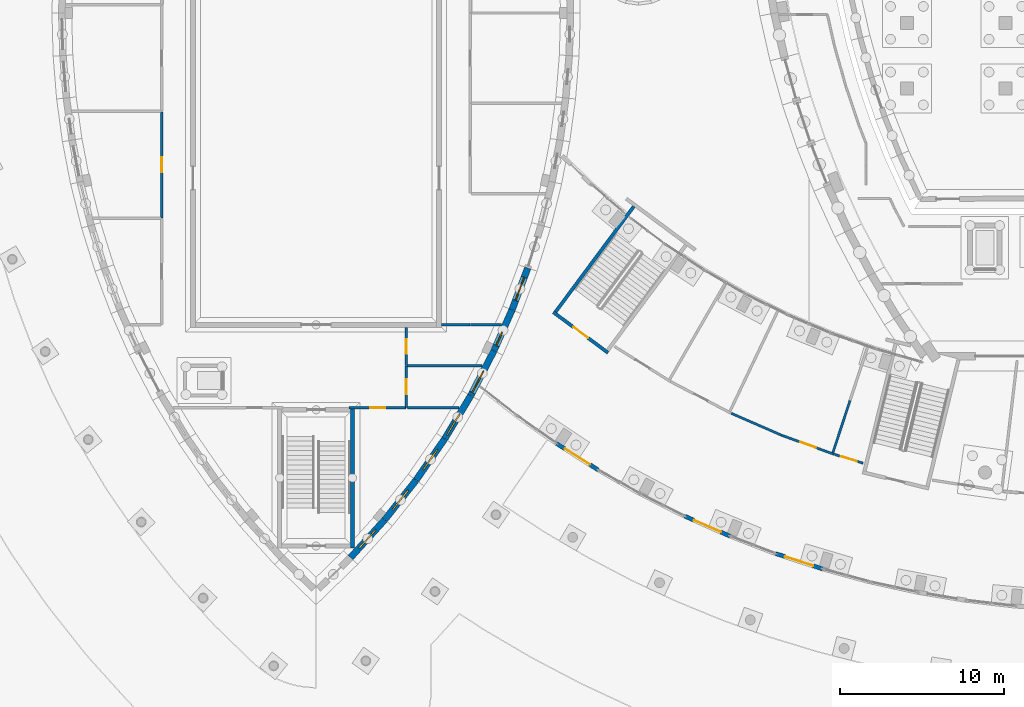
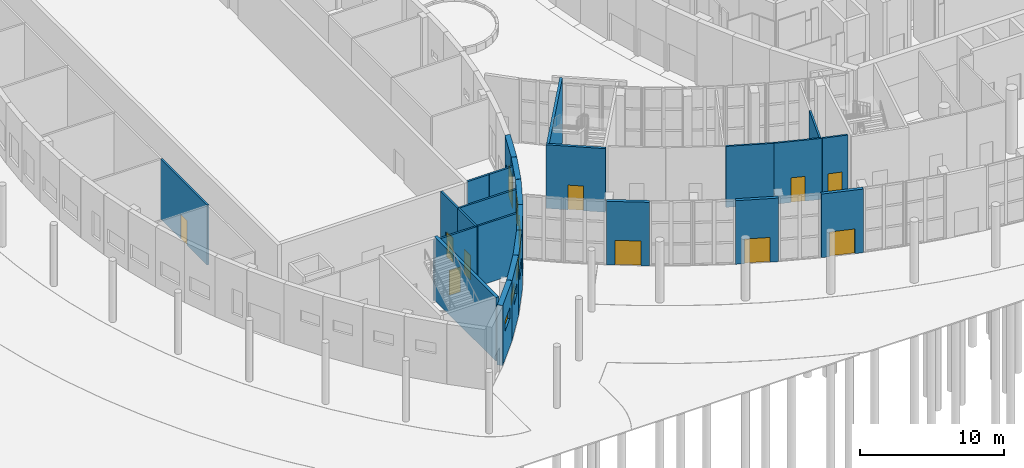
# One storey, part 42 of 82: 25 walls, 10 doors, 7 windows, 17 openings.
"""IFC4 building model written with IfcOpenShell, lengths in metres."""

from ifc_helpers import new_model, si_unit, direction, frame, frame_2d, origin, place, context, subcontext, project, spatial, rectangle, extrude, material, layer, layer_set, type_object, element, fill, save


model = new_model("IFC4")

# Units and contexts
model_context = context("Model", 3, precision=1e-05, world=origin(), true_north=direction((0.0, 1.0)))
body_context = subcontext(model_context, "Body", "Model", "MODEL_VIEW")
ifc_project = project(units=[si_unit("LENGTHUNIT", "METRE"), si_unit("AREAUNIT", "SQUARE_METRE"), si_unit("VOLUMEUNIT", "CUBIC_METRE"), si_unit("PLANEANGLEUNIT", "RADIAN"), si_unit("MASSUNIT", "GRAM", prefix="KILO")], contexts=[model_context])

# Site, building, storey
site_placement = place(None, origin())
site = spatial("IfcSite", under=ifc_project, at=site_placement, CompositionType="ELEMENT")
building_placement = place(site_placement, origin())
building = spatial("IfcBuilding", under=site, at=building_placement, Name="Tide Square Theatres", CompositionType="ELEMENT")
storey_placement = place(building_placement, origin())
storey = spatial("IfcBuildingStorey", under=building, at=storey_placement, Name="L00", CompositionType="ELEMENT", Elevation=0.0)

# Walls
ifc_material_1 = material(Name="Concrete masonry block", Category="masonry")
ifc_layer_1 = layer(ifc_material_1, 0.139892578125)
ifc_layer_set_1 = layer_set([ifc_layer_1], Name="Concrete masonry block")
wall_type_1 = type_object("IfcWallType", Name="Partition 140 thick", PredefinedType="PARTITIONING", material=ifc_layer_set_1)
wall_1_placement = place(storey_placement, frame((68.53125, 20.88427734375, 0.0), z_axis=(0.0, 0.0, 1.0), x_axis=(-0.311917422886, -0.950109215459, 0.0)))
element("IfcWall", 1, at=wall_1_placement, inside=storey, type_object=wall_type_1, Name="Foyer room partition", PredefinedType="PARTITIONING", context=body_context, shape_type="SweptSolid", body=[
    extrude(rectangle(XDim=3.35009765625, YDim=0.139892578125, at=frame_2d((1.675048828125, 0.0))), origin(), (0.0, 0.0, 1.0), 5.179931640625),
])
wall_2_placement = place(storey_placement, frame((61.298828125, 20.10791015625, 0.0), z_axis=(0.0, 0.0, 1.0), x_axis=(0.916806621588, -0.399331464592, 0.0)))
element("IfcWall", 2, at=wall_2_placement, inside=storey, type_object=wall_type_1, Name="Foyer room wall", PredefinedType="PARTITIONING", context=body_context, shape_type="SweptSolid", body=[
    extrude(rectangle(XDim=3.376708984375, YDim=0.139892578125, at=frame_2d((1.6884765625, 0.0))), origin(), (0.0, 0.0, 1.0), 5.179931640625),
])

# Wall, opening, door
wall_3_placement = place(storey_placement, frame((64.39453125, 18.759521484375, 0.0), z_axis=(0.0, 0.0, 1.0), x_axis=(0.940374749463, -0.340140163128, 0.0)))
wall_3 = element("IfcWall", 3, at=wall_3_placement, inside=storey, type_object=wall_type_1, Name="Foyer room wall", PredefinedType="PARTITIONING", context=body_context, shape_type="SweptSolid", body=[
    extrude(rectangle(XDim=3.37646484375, YDim=0.139892578125, at=frame_2d((1.688232421875, 0.0))), origin(), (0.0, 0.0, 1.0), 5.179931640625),
])
opening_1_placement = place(wall_3_placement, frame((1.188232421875, 0.0, 0.0)))
opening_1 = element("IfcOpeningElement", 4, at=opening_1_placement, cuts=wall_3, Name="Opening F00-19", PredefinedType="OPENING", context=body_context, shape_type="SweptSolid", body=[
    extrude(rectangle(XDim=1.0, YDim=2.10009765625, at=frame_2d((0.5, 1.050048828125))), frame((0.0, 0.079833984375, 0.0), z_axis=(0.0, -1.0, 0.0), x_axis=(1.0, 0.0, 0.0)), (0.0, 0.0, 1.0), 0.159912109375),
])
ifc_material_2 = material(Name="Hardwood timber", Category="wood")
door_type_1 = type_object("IfcDoorType", Name="Door 1000 x 2100 single leaf", OperationType="NOTDEFINED", PredefinedType="DOOR", material=ifc_material_2)
door_1_placement = place(opening_1_placement, origin())
door_1 = element("IfcDoor", 5, at=door_1_placement, inside=storey, type_object=door_type_1, Name="Foyer Bar door", OperationType="SINGLE_SWING_RIGHT", OverallHeight=2.10009765625, OverallWidth=1.0, PredefinedType="DOOR", context=body_context, shape_type="SweptSolid", body=[
    extrude(rectangle(XDim=1.0, YDim=2.10009765625, at=frame_2d((0.5, 1.050048828125))), frame((0.0, 0.02490234375, 0.0), z_axis=(0.0, -1.0, 0.0), x_axis=(1.0, 0.0, 0.0)), (0.0, 0.0, 1.0), 0.050048828125),
])
fill(opening_1, door_1)

wall_4_placement = place(storey_placement, frame((67.5888671875, 17.60498046875, 0.0), z_axis=(0.0, 0.0, 1.0), x_axis=(0.956028130963, -0.293274978148, 0.0)))
wall_4 = element("IfcWall", 6, at=wall_4_placement, inside=storey, type_object=wall_type_1, Name="Foyer room wall", PredefinedType="PARTITIONING", context=body_context, shape_type="SweptSolid", body=[
    extrude(rectangle(XDim=1.81982421875, YDim=0.139892578125, at=frame_2d((0.909912109375, 0.0))), origin(), (0.0, 0.0, 1.0), 5.179931640625),
])
opening_2_placement = place(wall_4_placement, frame((0.409912109375, 0.0, 0.0)))
opening_2 = element("IfcOpeningElement", 7, at=opening_2_placement, cuts=wall_4, Name="Opening F00-20", PredefinedType="OPENING", context=body_context, shape_type="SweptSolid", body=[
    extrude(rectangle(XDim=1.0, YDim=2.10009765625, at=frame_2d((0.5, 1.050048828125))), frame((0.0, 0.079833984375, 0.0), z_axis=(0.0, -1.0, 0.0), x_axis=(1.0, 0.0, 0.0)), (0.0, 0.0, 1.0), 0.159912109375),
])
door_2_placement = place(opening_2_placement, origin())
door_2 = element("IfcDoor", 8, at=door_2_placement, inside=storey, type_object=door_type_1, Name="Interval Bar door", OperationType="SINGLE_SWING_RIGHT", OverallHeight=2.10009765625, OverallWidth=1.0, PredefinedType="DOOR", context=body_context, shape_type="SweptSolid", body=[
    extrude(rectangle(XDim=1.0, YDim=2.10009765625, at=frame_2d((0.5, 1.050048828125))), frame((0.0, 0.02490234375, 0.0), z_axis=(0.0, -1.0, 0.0), x_axis=(1.0, 0.0, 0.0)), (0.0, 0.0, 1.0), 0.050048828125),
])
fill(opening_2, door_2)

ifc_material_3 = material(Name="Gypsum board on steel studs", Category="steel")
ifc_layer_2 = layer(ifc_material_3, 0.14990234375)
ifc_layer_set_2 = layer_set([ifc_layer_2], Name="Gypsum board on steel studs")
wall_type_2 = type_object("IfcWallType", Name="Partition 150 thick", PredefinedType="PARTITIONING", material=ifc_layer_set_2)
wall_5_placement = place(storey_placement, frame((26.60009765625, 32.02001953125, 0.0), z_axis=(0.0, 0.0, 1.0), x_axis=(0.0, 1.0, 0.0)))
wall_5 = element("IfcWall", 9, at=wall_5_placement, inside=storey, type_object=wall_type_2, Name="Studio Theatre partition", PredefinedType="PARTITIONING", context=body_context, shape_type="SweptSolid", body=[
    extrude(rectangle(XDim=6.4599609375, YDim=0.14990234375, at=frame_2d((3.22998046875, 0.0))), origin(), (0.0, 0.0, 1.0), 5.10009765625),
])
opening_3_placement = place(wall_5_placement, frame((2.780029296875, 0.0, 0.0)))
opening_3 = element("IfcOpeningElement", 10, at=opening_3_placement, cuts=wall_5, Name="Opening S00-14", PredefinedType="OPENING", context=body_context, shape_type="SweptSolid", body=[
    extrude(rectangle(XDim=0.89990234375, YDim=2.10009765625, at=frame_2d((0.449951171875, 1.050048828125))), frame((0.0, 0.0849609375, 0.0), z_axis=(0.0, -1.0, 0.0), x_axis=(1.0, 0.0, 0.0)), (0.0, 0.0, 1.0), 0.169921875),
])
ifc_material_4 = material(Name="Hardwood timber", Category="wood")
door_type_2 = type_object("IfcDoorType", Name="Door 900 x 2100 single leaf", OperationType="NOTDEFINED", PredefinedType="DOOR", material=ifc_material_4)
door_3_placement = place(opening_3_placement, origin())
door_3 = element("IfcDoor", 11, at=door_3_placement, inside=storey, type_object=door_type_2, Name="Dressing Room 02 door", OperationType="SINGLE_SWING_RIGHT", OverallHeight=2.10009765625, OverallWidth=0.89990234375, PredefinedType="DOOR", context=body_context, shape_type="SweptSolid", body=[
    extrude(rectangle(XDim=0.89990234375, YDim=2.10009765625, at=frame_2d((0.449951171875, 1.050048828125))), frame((0.0, 0.02490234375, 0.0), z_axis=(0.0, -1.0, 0.0), x_axis=(1.0, 0.0, 0.0)), (0.0, 0.0, 1.0), 0.050048828125),
])
fill(opening_3, door_3)

# Wall
wall_6_placement = place(storey_placement, frame((45.3798828125, 25.5, 0.0), z_axis=(0.0, 0.0, 1.0), x_axis=(-1.0, 0.0, 0.0)))
element("IfcWall", 12, at=wall_6_placement, inside=storey, type_object=wall_type_2, Name="Studio Theatre partition", PredefinedType="PARTITIONING", context=body_context, shape_type="SweptSolid", body=[
    extrude(rectangle(XDim=1.73046875, YDim=0.14990234375, at=frame_2d((0.865234375, 0.0))), origin(), (0.0, 0.0, 1.0), 5.10009765625),
])

# Wall, opening, door
wall_7_placement = place(storey_placement, frame((41.5, 22.97998046875, 0.0), z_axis=(0.0, 0.0, 1.0), x_axis=(0.0, -1.0, 0.0)))
wall_7 = element("IfcWall", 13, at=wall_7_placement, inside=storey, type_object=wall_type_2, Name="Studio Theatre partition", PredefinedType="PARTITIONING", context=body_context, shape_type="SweptSolid", body=[
    extrude(rectangle(XDim=2.510009765625, YDim=0.14990234375, at=frame_2d((1.2548828125, 0.0))), origin(), (0.0, 0.0, 1.0), 5.10009765625),
])
opening_4_placement = place(wall_7_placement, frame((0.804931640625, 0.0, 0.0)))
opening_4 = element("IfcOpeningElement", 14, at=opening_4_placement, cuts=wall_7, Name="Opening S00-07", PredefinedType="OPENING", context=body_context, shape_type="SweptSolid", body=[
    extrude(rectangle(XDim=0.89990234375, YDim=2.10009765625, at=frame_2d((0.449951171875, 1.050048828125))), frame((0.0, 0.0849609375, 0.0), z_axis=(0.0, -1.0, 0.0), x_axis=(1.0, 0.0, 0.0)), (0.0, 0.0, 1.0), 0.169921875),
])
door_4_placement = place(opening_4_placement, origin())
door_4 = element("IfcDoor", 15, at=door_4_placement, inside=storey, type_object=door_type_2, Name="Box Office door", OperationType="SINGLE_SWING_RIGHT", OverallHeight=2.10009765625, OverallWidth=0.89990234375, PredefinedType="DOOR", context=body_context, shape_type="SweptSolid", body=[
    extrude(rectangle(XDim=0.89990234375, YDim=2.10009765625, at=frame_2d((0.449951171875, 1.050048828125))), frame((0.0, 0.02490234375, 0.0), z_axis=(0.0, -1.0, 0.0), x_axis=(1.0, 0.0, 0.0)), (0.0, 0.0, 1.0), 0.050048828125),
])
fill(opening_4, door_4)

wall_8_placement = place(storey_placement, frame((41.5, 25.3505859375, 0.0), z_axis=(0.0, 0.0, 1.0), x_axis=(0.0, -1.0, 0.0)))
wall_8 = element("IfcWall", 16, at=wall_8_placement, inside=storey, type_object=wall_type_2, Name="Studio Theatre partition", PredefinedType="PARTITIONING", context=body_context, shape_type="SweptSolid", body=[
    extrude(rectangle(XDim=2.33056640625, YDim=0.14990234375, at=frame_2d((1.165283203125, 0.0))), origin(), (0.0, 0.0, 1.0), 5.10009765625),
])
opening_5_placement = place(wall_8_placement, frame((0.71533203125, 0.0, 0.0)))
opening_5 = element("IfcOpeningElement", 17, at=opening_5_placement, cuts=wall_8, Name="Opening S00-08", PredefinedType="OPENING", context=body_context, shape_type="SweptSolid", body=[
    extrude(rectangle(XDim=0.89990234375, YDim=2.10009765625, at=frame_2d((0.449951171875, 1.050048828125))), frame((0.0, 0.0849609375, 0.0), z_axis=(0.0, -1.0, 0.0), x_axis=(1.0, 0.0, 0.0)), (0.0, 0.0, 1.0), 0.169921875),
])
door_5_placement = place(opening_5_placement, origin())
door_5 = element("IfcDoor", 18, at=door_5_placement, inside=storey, type_object=door_type_2, Name="Cloakroom door", OperationType="SINGLE_SWING_RIGHT", OverallHeight=2.10009765625, OverallWidth=0.89990234375, PredefinedType="DOOR", context=body_context, shape_type="SweptSolid", body=[
    extrude(rectangle(XDim=0.89990234375, YDim=2.10009765625, at=frame_2d((0.449951171875, 1.050048828125))), frame((0.0, 0.02490234375, 0.0), z_axis=(0.0, -1.0, 0.0), x_axis=(1.0, 0.0, 0.0)), (0.0, 0.0, 1.0), 0.050048828125),
])
fill(opening_5, door_5)

wall_9_placement = place(storey_placement, frame((41.47998046875, 20.449951171875, 0.0), z_axis=(0.0, 0.0, 1.0), x_axis=(-1.0, 0.0, 0.0)))
wall_9 = element("IfcWall", 19, at=wall_9_placement, inside=storey, type_object=wall_type_2, Name="Studio Theatre partition", PredefinedType="PARTITIONING", context=body_context, shape_type="SweptSolid", body=[
    extrude(rectangle(XDim=3.4599609375, YDim=0.14990234375, at=frame_2d((1.72998046875, 0.0))), origin(), (0.0, 0.0, 1.0), 5.10009765625),
])
opening_6_placement = place(wall_9_placement, frame((1.280029296875, 0.0, 0.0)))
opening_6 = element("IfcOpeningElement", 20, at=opening_6_placement, cuts=wall_9, Name="Opening S00-10", PredefinedType="OPENING", context=body_context, shape_type="SweptSolid", body=[
    extrude(rectangle(XDim=0.89990234375, YDim=2.10009765625, at=frame_2d((0.449951171875, 1.050048828125))), frame((0.0, 0.0849609375, 0.0), z_axis=(0.0, -1.0, 0.0), x_axis=(1.0, 0.0, 0.0)), (0.0, 0.0, 1.0), 0.169921875),
])
door_6_placement = place(opening_6_placement, origin())
door_6 = element("IfcDoor", 21, at=door_6_placement, inside=storey, type_object=door_type_2, Name="Props Store door", OperationType="SINGLE_SWING_RIGHT", OverallHeight=2.10009765625, OverallWidth=0.89990234375, PredefinedType="DOOR", context=body_context, shape_type="SweptSolid", body=[
    extrude(rectangle(XDim=0.89990234375, YDim=2.10009765625, at=frame_2d((0.449951171875, 1.050048828125))), frame((0.0, 0.02490234375, 0.0), z_axis=(0.0, -1.0, 0.0), x_axis=(1.0, 0.0, 0.0)), (0.0, 0.0, 1.0), 0.050048828125),
])
fill(opening_6, door_6)

# Walls
wall_10_placement = place(storey_placement, frame((41.56005859375, 23.0, 0.0), z_axis=(0.0, 0.0, 1.0), x_axis=(1.0, 0.0, 0.0)))
element("IfcWall", 22, at=wall_10_placement, inside=storey, type_object=wall_type_2, Name="Studio Theatre partition", PredefinedType="PARTITIONING", context=body_context, shape_type="SweptSolid", body=[
    extrude(rectangle(XDim=4.55517578125, YDim=0.14990234375, at=frame_2d((2.277587890625, 0.0))), origin(), (0.0, 0.0, 1.0), 5.10009765625),
])
wall_11_placement = place(storey_placement, frame((44.7158203125, 20.449951171875, 0.0), z_axis=(0.0, 0.0, 1.0), x_axis=(-1.0, 0.0, 0.0)))
element("IfcWall", 23, at=wall_11_placement, inside=storey, type_object=wall_type_2, Name="Studio Theatre partition", PredefinedType="PARTITIONING", context=body_context, shape_type="SweptSolid", body=[
    extrude(rectangle(XDim=3.15576171875, YDim=0.14990234375, at=frame_2d((1.577880859375, 0.0))), origin(), (0.0, 0.0, 1.0), 5.10009765625),
])
wall_12_placement = place(storey_placement, frame((45.419921875, 25.5, 0.0), z_axis=(0.0, 0.0, 1.0), x_axis=(1.0, 0.0, 0.0)))
element("IfcWall", 24, at=wall_12_placement, inside=storey, type_object=wall_type_2, Name="Studio Theatre partition", PredefinedType="PARTITIONING", context=body_context, shape_type="SweptSolid", body=[
    extrude(rectangle(XDim=1.876708984375, YDim=0.14990234375, at=frame_2d((0.9384765625, 0.0))), origin(), (0.0, 0.0, 1.0), 5.10009765625),
])

# Wall, opening, window
ifc_material_5 = material(Name="Concrete C40", Category="concrete")
ifc_layer_3 = layer(ifc_material_5, 0.39990234375)
ifc_layer_set_3 = layer_set([ifc_layer_3], Name="Concrete C40")
wall_type_3 = type_object("IfcWallType", Name="RC curved wall 400 thick", PredefinedType="SOLIDWALL", material=ifc_layer_set_3)
wall_13_placement = place(storey_placement, frame((38.103515625, 11.322998046875, 0.0), z_axis=(0.0, 0.0, 1.0), x_axis=(0.67038553216, 0.742012963681, 0.0)))
wall_13 = element("IfcWall", 25, at=wall_13_placement, inside=storey, type_object=wall_type_3, Name="Studio Theatre perimeter wall", PredefinedType="SOLIDWALL", context=body_context, shape_type="SweptSolid", body=[
    extrude(rectangle(XDim=3.101806640625, YDim=0.39990234375, at=frame_2d((1.55078125, 0.0))), origin(), (0.0, 0.0, 1.0), 5.10009765625),
])
opening_7_placement = place(wall_13_placement, frame((0.80078125, 0.0, 2.39990234375)))
opening_7 = element("IfcOpeningElement", 26, at=opening_7_placement, cuts=wall_13, Name="Opening WN-04", PredefinedType="OPENING", context=body_context, shape_type="SweptSolid", body=[
    extrude(rectangle(XDim=1.5, YDim=0.89990234375, at=frame_2d((0.75, 0.449951171875))), frame((0.0, 0.2099609375, 0.0), z_axis=(0.0, -1.0, 0.0), x_axis=(1.0, 0.0, 0.0)), (0.0, 0.0, 1.0), 0.419921875),
])
ifc_material_6 = material(Name="Aluminium with laminated glass", Category="aluminium")
window_type_1 = type_object("IfcWindowType", Name="Window 1500 x 900", PartitioningType="SINGLE_PANEL", PredefinedType="WINDOW", material=ifc_material_6)
window_1_placement = place(opening_7_placement, origin())
window_1 = element("IfcWindow", 27, at=window_1_placement, inside=storey, type_object=window_type_1, Name="Studio Theatre Props Store window", OverallHeight=0.89990234375, OverallWidth=1.5, PartitioningType="SINGLE_PANEL", PredefinedType="WINDOW", context=body_context, shape_type="SweptSolid", body=[
    extrude(rectangle(XDim=1.5, YDim=0.89990234375, at=frame_2d((0.75, 0.449951171875))), frame((0.0, 0.030029296875, 0.0), z_axis=(0.0, -1.0, 0.0), x_axis=(1.0, 0.0, 0.0)), (0.0, 0.0, 1.0), 0.06005859375),
])
fill(opening_7, window_1)

wall_14_placement = place(storey_placement, frame((40.191162109375, 13.63427734375, 0.0), z_axis=(0.0, 0.0, 1.0), x_axis=(0.620958553355, 0.783843399548, 0.0)))
wall_14 = element("IfcWall", 28, at=wall_14_placement, inside=storey, type_object=wall_type_3, Name="Studio Theatre perimeter wall", PredefinedType="SOLIDWALL", context=body_context, shape_type="SweptSolid", body=[
    extrude(rectangle(XDim=3.0576171875, YDim=0.39990234375, at=frame_2d((1.52880859375, 0.0))), origin(), (0.0, 0.0, 1.0), 5.10009765625),
])
opening_8_placement = place(wall_14_placement, frame((0.77880859375, 0.0, 2.39990234375)))
opening_8 = element("IfcOpeningElement", 29, at=opening_8_placement, cuts=wall_14, Name="Opening WN-04", PredefinedType="OPENING", context=body_context, shape_type="SweptSolid", body=[
    extrude(rectangle(XDim=1.5, YDim=0.89990234375, at=frame_2d((0.75, 0.449951171875))), frame((0.0, 0.2099609375, 0.0), z_axis=(0.0, -1.0, 0.0), x_axis=(1.0, 0.0, 0.0)), (0.0, 0.0, 1.0), 0.419921875),
])
window_2_placement = place(opening_8_placement, origin())
window_2 = element("IfcWindow", 30, at=window_2_placement, inside=storey, type_object=window_type_1, Name="Studio Theatre Props Store window", OverallHeight=0.89990234375, OverallWidth=1.5, PartitioningType="SINGLE_PANEL", PredefinedType="WINDOW", context=body_context, shape_type="SweptSolid", body=[
    extrude(rectangle(XDim=1.5, YDim=0.89990234375, at=frame_2d((0.75, 0.449951171875))), frame((0.0, 0.030029296875, 0.0), z_axis=(0.0, -1.0, 0.0), x_axis=(1.0, 0.0, 0.0)), (0.0, 0.0, 1.0), 0.06005859375),
])
fill(opening_8, window_2)

wall_15_placement = place(storey_placement, frame((42.09765625, 16.04150390625, 0.0), z_axis=(0.0, 0.0, 1.0), x_axis=(0.569371892655, 0.822080073871, 0.0)))
wall_15 = element("IfcWall", 31, at=wall_15_placement, inside=storey, type_object=wall_type_3, Name="Studio Theatre perimeter wall", PredefinedType="SOLIDWALL", context=body_context, shape_type="SweptSolid", body=[
    extrude(rectangle(XDim=3.0576171875, YDim=0.39990234375, at=frame_2d((1.52880859375, 0.0))), origin(), (0.0, 0.0, 1.0), 5.10009765625),
])
opening_9_placement = place(wall_15_placement, frame((0.77880859375, 0.0, 2.39990234375)))
opening_9 = element("IfcOpeningElement", 32, at=opening_9_placement, cuts=wall_15, Name="Opening WN-04", PredefinedType="OPENING", context=body_context, shape_type="SweptSolid", body=[
    extrude(rectangle(XDim=1.5, YDim=0.89990234375, at=frame_2d((0.75, 0.449951171875))), frame((0.0, 0.2099609375, 0.0), z_axis=(0.0, -1.0, 0.0), x_axis=(1.0, 0.0, 0.0)), (0.0, 0.0, 1.0), 0.419921875),
])
window_3_placement = place(opening_9_placement, origin())
window_3 = element("IfcWindow", 33, at=window_3_placement, inside=storey, type_object=window_type_1, Name="Studio Theatre Props Store window", OverallHeight=0.89990234375, OverallWidth=1.5, PartitioningType="SINGLE_PANEL", PredefinedType="WINDOW", context=body_context, shape_type="SweptSolid", body=[
    extrude(rectangle(XDim=1.5, YDim=0.89990234375, at=frame_2d((0.75, 0.449951171875))), frame((0.0, 0.030029296875, 0.0), z_axis=(0.0, -1.0, 0.0), x_axis=(1.0, 0.0, 0.0)), (0.0, 0.0, 1.0), 0.06005859375),
])
fill(opening_9, window_3)

wall_16_placement = place(storey_placement, frame((43.845703125, 18.56591796875, 0.0), z_axis=(0.0, 0.0, 1.0), x_axis=(0.515387841983, 0.856957042293, 0.0)))
wall_16 = element("IfcWall", 34, at=wall_16_placement, inside=storey, type_object=wall_type_3, Name="Studio Theatre perimeter wall", PredefinedType="SOLIDWALL", context=body_context, shape_type="SweptSolid", body=[
    extrude(rectangle(XDim=3.057861328125, YDim=0.39990234375, at=frame_2d((1.52880859375, 0.0))), origin(), (0.0, 0.0, 1.0), 5.10009765625),
])
opening_10_placement = place(wall_16_placement, frame((0.264404296875, 0.0, 2.39990234375)))
opening_10 = element("IfcOpeningElement", 35, at=opening_10_placement, cuts=wall_16, Name="Opening WN-04", PredefinedType="OPENING", context=body_context, shape_type="SweptSolid", body=[
    extrude(rectangle(XDim=1.5, YDim=0.89990234375, at=frame_2d((0.75, 0.449951171875))), frame((0.0, 0.2099609375, 0.0), z_axis=(0.0, -1.0, 0.0), x_axis=(1.0, 0.0, 0.0)), (0.0, 0.0, 1.0), 0.419921875),
])
window_4_placement = place(opening_10_placement, origin())
window_4 = element("IfcWindow", 36, at=window_4_placement, inside=storey, type_object=window_type_1, Name="Studio Theatre Props Store window", OverallHeight=0.89990234375, OverallWidth=1.5, PartitioningType="SINGLE_PANEL", PredefinedType="WINDOW", context=body_context, shape_type="SweptSolid", body=[
    extrude(rectangle(XDim=1.5, YDim=0.89990234375, at=frame_2d((0.75, 0.449951171875))), frame((0.0, 0.030029296875, 0.0), z_axis=(0.0, -1.0, 0.0), x_axis=(1.0, 0.0, 0.0)), (0.0, 0.0, 1.0), 0.06005859375),
])
fill(opening_10, window_4)

wall_17_placement = place(storey_placement, frame((45.427978515625, 21.197509765625, 0.0), z_axis=(0.0, 0.0, 1.0), x_axis=(0.45930565039, 0.888278289457, 0.0)))
wall_17 = element("IfcWall", 37, at=wall_17_placement, inside=storey, type_object=wall_type_3, Name="Studio Theatre perimeter wall", PredefinedType="SOLIDWALL", context=body_context, shape_type="SweptSolid", body=[
    extrude(rectangle(XDim=3.05859375, YDim=0.39990234375, at=frame_2d((1.529296875, 0.0))), origin(), (0.0, 0.0, 1.0), 5.10009765625),
])
opening_11_placement = place(wall_17_placement, frame((0.18798828125, 0.0, 0.89990234375)))
opening_11 = element("IfcOpeningElement", 38, at=opening_11_placement, cuts=wall_17, Name="Opening WN-01", PredefinedType="OPENING", context=body_context, shape_type="SweptSolid", body=[
    extrude(rectangle(XDim=1.5, YDim=2.10009765625, at=frame_2d((0.75, 1.050048828125))), frame((0.0, 0.2099609375, 0.0), z_axis=(0.0, -1.0, 0.0), x_axis=(1.0, 0.0, 0.0)), (0.0, 0.0, 1.0), 0.419921875),
])
ifc_material_7 = material(Name="Aluminium with laminated glass", Category="aluminium")
window_type_2 = type_object("IfcWindowType", Name="Window 1500 x 2100", PartitioningType="SINGLE_PANEL", PredefinedType="WINDOW", material=ifc_material_7)
window_5_placement = place(opening_11_placement, origin())
window_5 = element("IfcWindow", 39, at=window_5_placement, inside=storey, type_object=window_type_2, Name="Studio Theatre Box Office window", OverallHeight=2.10009765625, OverallWidth=1.5, PartitioningType="SINGLE_PANEL", PredefinedType="WINDOW", context=body_context, shape_type="SweptSolid", body=[
    extrude(rectangle(XDim=1.5, YDim=2.10009765625, at=frame_2d((0.75, 1.050048828125))), frame((0.0, 0.030029296875, 0.0), z_axis=(0.0, -1.0, 0.0), x_axis=(1.0, 0.0, 0.0)), (0.0, 0.0, 1.0), 0.06005859375),
])
fill(opening_11, window_5)

wall_18_placement = place(storey_placement, frame((46.837890625, 23.92529296875, 0.0), z_axis=(0.0, 0.0, 1.0), x_axis=(0.404652153757, 0.914470685402, 0.0)))
wall_18 = element("IfcWall", 40, at=wall_18_placement, inside=storey, type_object=wall_type_3, Name="Studio Theatre perimeter wall", PredefinedType="SOLIDWALL", context=body_context, shape_type="SweptSolid", body=[
    extrude(rectangle(XDim=2.7138671875, YDim=0.39990234375, at=frame_2d((1.35693359375, 0.0))), origin(), (0.0, 0.0, 1.0), 5.10009765625),
])
opening_12_placement = place(wall_18_placement, frame((0.341796875, 0.0, 0.89990234375)))
opening_12 = element("IfcOpeningElement", 41, at=opening_12_placement, cuts=wall_18, Name="Opening WN-10", PredefinedType="OPENING", context=body_context, shape_type="SweptSolid", body=[
    extrude(rectangle(XDim=0.89990234375, YDim=2.10009765625, at=frame_2d((0.449951171875, 1.050048828125))), frame((0.0, 0.2099609375, 0.0), z_axis=(0.0, -1.0, 0.0), x_axis=(1.0, 0.0, 0.0)), (0.0, 0.0, 1.0), 0.419921875),
])
ifc_material_8 = material(Name="Aluminium with laminated glass", Category="aluminium")
window_type_3 = type_object("IfcWindowType", Name="Window 900 x 2100", PartitioningType="SINGLE_PANEL", PredefinedType="WINDOW", material=ifc_material_8)
window_6_placement = place(opening_12_placement, origin())
window_6 = element("IfcWindow", 42, at=window_6_placement, inside=storey, type_object=window_type_3, Name="Studio Theatre Studio East Lobby window", OverallHeight=2.10009765625, OverallWidth=0.89990234375, PartitioningType="SINGLE_PANEL", PredefinedType="WINDOW", context=body_context, shape_type="SweptSolid", body=[
    extrude(rectangle(XDim=0.89990234375, YDim=2.10009765625, at=frame_2d((0.449951171875, 1.050048828125))), frame((0.0, 0.030029296875, 0.0), z_axis=(0.0, -1.0, 0.0), x_axis=(1.0, 0.0, 0.0)), (0.0, 0.0, 1.0), 0.06005859375),
])
fill(opening_12, window_6)

wall_19_placement = place(storey_placement, frame((47.9404296875, 26.41748046875, 0.0), z_axis=(0.0, 0.0, 1.0), x_axis=(0.351862601417, 0.936051659752, 0.0)))
wall_19 = element("IfcWall", 43, at=wall_19_placement, inside=storey, type_object=wall_type_3, Name="Studio Theatre perimeter wall", PredefinedType="SOLIDWALL", context=body_context, shape_type="SweptSolid", body=[
    extrude(rectangle(XDim=2.71435546875, YDim=0.39990234375, at=frame_2d((1.357177734375, 0.0))), origin(), (0.0, 0.0, 1.0), 5.10009765625),
])
opening_13_placement = place(wall_19_placement, frame((0.607177734375, 0.0, 0.300048828125)))
opening_13 = element("IfcOpeningElement", 44, at=opening_13_placement, cuts=wall_19, Name="Opening WN-02", PredefinedType="OPENING", context=body_context, shape_type="SweptSolid", body=[
    extrude(rectangle(XDim=1.5, YDim=2.699951171875, at=frame_2d((0.75, 1.35009765625))), frame((0.0, 0.2099609375, 0.0), z_axis=(0.0, -1.0, 0.0), x_axis=(1.0, 0.0, 0.0)), (0.0, 0.0, 1.0), 0.419921875),
])
ifc_material_9 = material(Name="Aluminium with laminated glass", Category="aluminium")
window_type_4 = type_object("IfcWindowType", Name="Window 1500 x 2700", PartitioningType="SINGLE_PANEL", PredefinedType="WINDOW", material=ifc_material_9)
window_7_placement = place(opening_13_placement, origin())
window_7 = element("IfcWindow", 45, at=window_7_placement, inside=storey, type_object=window_type_4, Name="Studio Theatre Studio East Lobby window", OverallHeight=2.699951171875, OverallWidth=1.5, PartitioningType="SINGLE_PANEL", PredefinedType="WINDOW", context=body_context, shape_type="SweptSolid", body=[
    extrude(rectangle(XDim=1.5, YDim=2.699951171875, at=frame_2d((0.75, 1.35009765625))), frame((0.0, 0.030029296875, 0.0), z_axis=(0.0, -1.0, 0.0), x_axis=(1.0, 0.0, 0.0)), (0.0, 0.0, 1.0), 0.06005859375),
])
fill(opening_13, window_7)

# Wall, opening, door
ifc_material_10 = material(Name="Concrete C40", Category="concrete")
ifc_layer_4 = layer(ifc_material_10, 0.199951171875)
ifc_layer_set_4 = layer_set([ifc_layer_4], Name="Concrete C40")
wall_type_4 = type_object("IfcWallType", Name="RC shear wall 200 thick", PredefinedType="SHEAR", material=ifc_layer_set_4)
wall_20_placement = place(storey_placement, frame((53.787353515625, 23.798583984375, 0.0), z_axis=(0.0, 0.0, 1.0), x_axis=(-0.803074417046, 0.595878746631, 0.0)))
wall_20 = element("IfcWall", 46, at=wall_20_placement, inside=storey, type_object=wall_type_4, Name="Exit stair F1 wall", PredefinedType="SHEAR", context=body_context, shape_type="SweptSolid", body=[
    extrude(rectangle(XDim=4.14990234375, YDim=0.199951171875, at=frame_2d((2.074951171875, 0.0))), origin(), (0.0, 0.0, 1.0), 5.39990234375),
])
opening_14_placement = place(wall_20_placement, frame((1.52490234375, 0.0, 0.0)))
opening_14 = element("IfcOpeningElement", 47, at=opening_14_placement, cuts=wall_20, Name="Opening F00-13", PredefinedType="OPENING", context=body_context, shape_type="SweptSolid", body=[
    extrude(rectangle(XDim=1.10009765625, YDim=2.10009765625, at=frame_2d((0.550048828125, 1.050048828125))), frame((0.0, 0.10986328125, 0.0), z_axis=(0.0, -1.0, 0.0), x_axis=(1.0, 0.0, 0.0)), (0.0, 0.0, 1.0), 0.219970703125),
])
ifc_material_11 = material(Name="Painted steel", Category="steel")
door_type_3 = type_object("IfcDoorType", Name="Door 1100 x 2100 single leaf", OperationType="NOTDEFINED", PredefinedType="DOOR", material=ifc_material_11)
door_7_placement = place(opening_14_placement, origin())
door_7 = element("IfcDoor", 48, at=door_7_placement, inside=storey, type_object=door_type_3, Name="Exit stair F1 door", OperationType="SINGLE_SWING_RIGHT", OverallHeight=2.10009765625, OverallWidth=1.10009765625, PredefinedType="DOOR", context=body_context, shape_type="SweptSolid", body=[
    extrude(rectangle(XDim=1.10009765625, YDim=2.10009765625, at=frame_2d((0.550048828125, 1.050048828125))), frame((0.0, 0.02490234375, 0.0), z_axis=(0.0, -1.0, 0.0), x_axis=(1.0, 0.0, 0.0)), (0.0, 0.0, 1.0), 0.050048828125),
])
fill(opening_14, door_7)

# Walls
wall_21_placement = place(storey_placement, frame((50.594482421875, 26.292236328125, 0.0), z_axis=(0.0, 0.0, 1.0), x_axis=(0.595865972218, 0.803083895463, 0.0)))
element("IfcWall", 49, at=wall_21_placement, inside=storey, type_object=wall_type_4, Name="Exit stair F1 wall", PredefinedType="SHEAR", context=body_context, shape_type="SweptSolid", body=[
    extrude(rectangle(XDim=7.999755859375, YDim=0.199951171875, at=frame_2d((4.0, 0.0))), origin(), (0.0, 0.0, 1.0), 5.39990234375),
])
ifc_material_12 = material(Name="Concrete C40", Category="concrete")
ifc_layer_5 = layer(ifc_material_12, 0.25)
ifc_layer_set_5 = layer_set([ifc_layer_5], Name="Concrete C40")
wall_type_5 = type_object("IfcWallType", Name="RC shear wall 250 thick", PredefinedType="SHEAR", material=ifc_layer_set_5)
wall_22_placement = place(storey_placement, frame((38.22509765625, 11.89990234375, 0.0), z_axis=(0.0, 0.0, 1.0), x_axis=(0.0, 1.0, 0.0)))
element("IfcWall", 50, at=wall_22_placement, inside=storey, type_object=wall_type_5, Name="Studio Theatre Stair S2 shaft wall", PredefinedType="SHEAR", context=body_context, shape_type="SweptSolid", body=[
    extrude(rectangle(XDim=8.550048828125, YDim=0.25, at=frame_2d((4.27490234375, 0.0))), origin(), (0.0, 0.0, 1.0), 5.39990234375),
])

# Wall, opening, door
wall_23_placement = place(storey_placement, frame((50.65673828125, 18.268310546875, 0.0), z_axis=(0.0, 0.0, 1.0), x_axis=(0.844241494478, -0.535962964207, 0.0)))
wall_23 = element("IfcWall", 51, at=wall_23_placement, inside=storey, type_object=wall_type_5, Name="Foyer entrance pier wall", PredefinedType="SHEAR", context=body_context, shape_type="SweptSolid", body=[
    extrude(rectangle(XDim=2.995849609375, YDim=0.25, at=frame_2d((1.498046875, 0.0))), origin(), (0.0, 0.0, 1.0), 5.39990234375),
])
opening_15_placement = place(wall_23_placement, frame((0.597900390625, 0.0, 0.0)))
opening_15 = element("IfcOpeningElement", 52, at=opening_15_placement, cuts=wall_23, Name="Opening F00-01", PredefinedType="OPENING", context=body_context, shape_type="SweptSolid", body=[
    extrude(rectangle(XDim=1.800048828125, YDim=2.10009765625, at=frame_2d((0.89990234375, 1.050048828125))), frame((0.0, 0.135009765625, 0.0), z_axis=(0.0, -1.0, 0.0), x_axis=(1.0, 0.0, 0.0)), (0.0, 0.0, 1.0), 0.27001953125),
])
ifc_material_13 = material(Name="Hardwood timber", Category="wood")
door_type_4 = type_object("IfcDoorType", Name="Door 1800 x 2100 double leaf", OperationType="DOUBLE_DOOR_SINGLE_SWING", PredefinedType="DOOR", material=ifc_material_13)
door_8_placement = place(opening_15_placement, frame((1.800048828125, 0.0, 0.0), z_axis=(0.0, 0.0, 1.0), x_axis=(-1.0, 0.0, 0.0)))
door_8 = element("IfcDoor", 53, at=door_8_placement, inside=storey, type_object=door_type_4, Name="Foyer entrance door", OperationType="DOUBLE_DOOR_SINGLE_SWING", OverallHeight=2.10009765625, OverallWidth=1.800048828125, PredefinedType="DOOR", context=body_context, shape_type="SweptSolid", body=[
    extrude(rectangle(XDim=1.800048828125, YDim=2.10009765625, at=frame_2d((0.89990234375, 1.050048828125))), frame((0.0, 0.02490234375, 0.0), z_axis=(0.0, -1.0, 0.0), x_axis=(1.0, 0.0, 0.0)), (0.0, 0.0, 1.0), 0.050048828125),
])
fill(opening_15, door_8)

wall_24_placement = place(storey_placement, frame((58.469970703125, 13.8408203125, 0.0), z_axis=(0.0, 0.0, 1.0), x_axis=(0.914920457005, -0.403634187543, 0.0)))
wall_24 = element("IfcWall", 54, at=wall_24_placement, inside=storey, type_object=wall_type_5, Name="Foyer entrance pier wall", PredefinedType="SHEAR", context=body_context, shape_type="SweptSolid", body=[
    extrude(rectangle(XDim=2.995849609375, YDim=0.25, at=frame_2d((1.498046875, 0.0))), origin(), (0.0, 0.0, 1.0), 5.39990234375),
])
opening_16_placement = place(wall_24_placement, frame((0.597900390625, 0.0, 0.0)))
opening_16 = element("IfcOpeningElement", 55, at=opening_16_placement, cuts=wall_24, Name="Opening F00-02", PredefinedType="OPENING", context=body_context, shape_type="SweptSolid", body=[
    extrude(rectangle(XDim=1.800048828125, YDim=2.10009765625, at=frame_2d((0.89990234375, 1.050048828125))), frame((0.0, 0.135009765625, 0.0), z_axis=(0.0, -1.0, 0.0), x_axis=(1.0, 0.0, 0.0)), (0.0, 0.0, 1.0), 0.27001953125),
])
door_9_placement = place(opening_16_placement, frame((1.800048828125, 0.0, 0.0), z_axis=(0.0, 0.0, 1.0), x_axis=(-1.0, 0.0, 0.0)))
door_9 = element("IfcDoor", 56, at=door_9_placement, inside=storey, type_object=door_type_4, Name="Foyer entrance door", OperationType="DOUBLE_DOOR_SINGLE_SWING", OverallHeight=2.10009765625, OverallWidth=1.800048828125, PredefinedType="DOOR", context=body_context, shape_type="SweptSolid", body=[
    extrude(rectangle(XDim=1.800048828125, YDim=2.10009765625, at=frame_2d((0.89990234375, 1.050048828125))), frame((0.0, 0.02490234375, 0.0), z_axis=(0.0, -1.0, 0.0), x_axis=(1.0, 0.0, 0.0)), (0.0, 0.0, 1.0), 0.050048828125),
])
fill(opening_16, door_9)

wall_25_placement = place(storey_placement, frame((64.009033203125, 11.560791015625, 0.0), z_axis=(0.0, 0.0, 1.0), x_axis=(0.950692762122, -0.310134280675, 0.0)))
wall_25 = element("IfcWall", 57, at=wall_25_placement, inside=storey, type_object=wall_type_5, Name="Foyer entrance pier wall", PredefinedType="SHEAR", context=body_context, shape_type="SweptSolid", body=[
    extrude(rectangle(XDim=2.99609375, YDim=0.25, at=frame_2d((1.498046875, 0.0))), origin(), (0.0, 0.0, 1.0), 5.39990234375),
])
opening_17_placement = place(wall_25_placement, frame((0.597900390625, 0.0, 0.0)))
opening_17 = element("IfcOpeningElement", 58, at=opening_17_placement, cuts=wall_25, Name="Opening F00-03", PredefinedType="OPENING", context=body_context, shape_type="SweptSolid", body=[
    extrude(rectangle(XDim=1.800048828125, YDim=2.10009765625, at=frame_2d((0.89990234375, 1.050048828125))), frame((0.0, 0.135009765625, 0.0), z_axis=(0.0, -1.0, 0.0), x_axis=(1.0, 0.0, 0.0)), (0.0, 0.0, 1.0), 0.27001953125),
])
door_10_placement = place(opening_17_placement, frame((1.800048828125, 0.0, 0.0), z_axis=(0.0, 0.0, 1.0), x_axis=(-1.0, 0.0, 0.0)))
door_10 = element("IfcDoor", 59, at=door_10_placement, inside=storey, type_object=door_type_4, Name="Foyer entrance door", OperationType="DOUBLE_DOOR_SINGLE_SWING", OverallHeight=2.10009765625, OverallWidth=1.800048828125, PredefinedType="DOOR", context=body_context, shape_type="SweptSolid", body=[
    extrude(rectangle(XDim=1.800048828125, YDim=2.10009765625, at=frame_2d((0.89990234375, 1.050048828125))), frame((0.0, 0.02490234375, 0.0), z_axis=(0.0, -1.0, 0.0), x_axis=(1.0, 0.0, 0.0)), (0.0, 0.0, 1.0), 0.050048828125),
])
fill(opening_17, door_10)

save(model, "model.ifc")
